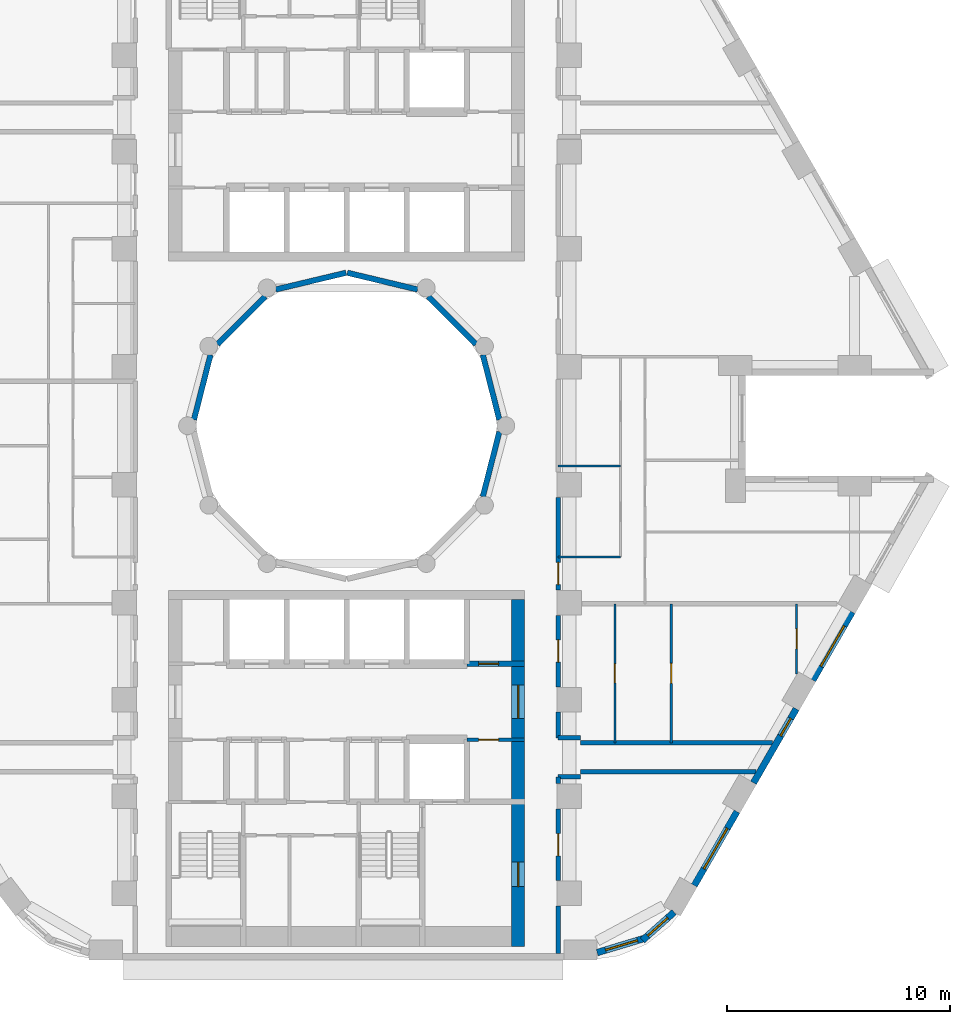
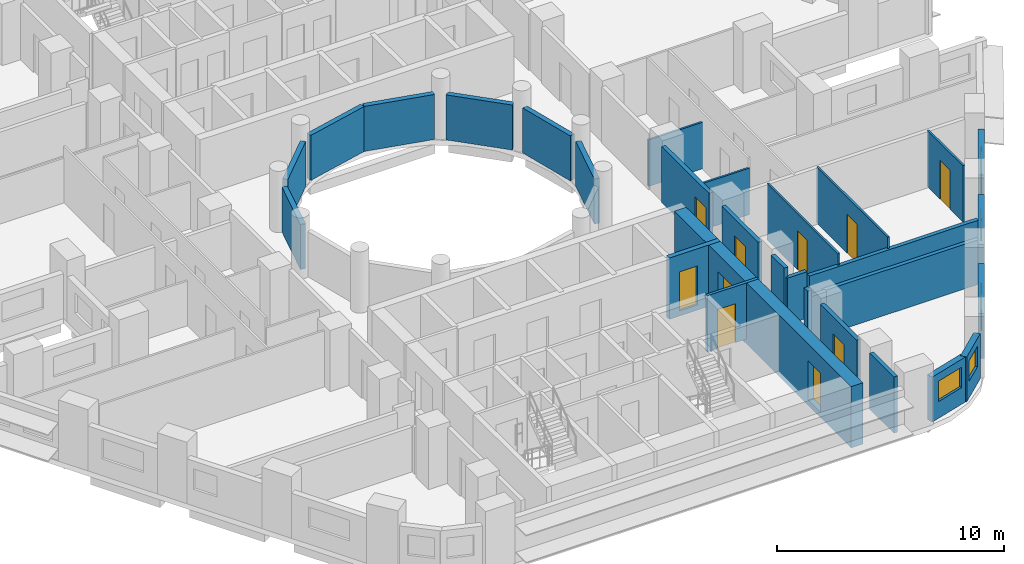
# One storey, part 5 of 12: 30 walls, 10 doors, 5 windows, 15 openings.
"""IFC4 building model written with IfcOpenShell, lengths in metres."""

from ifc_helpers import new_model, si_unit, direction, frame, frame_2d, origin, place, context, subcontext, project, spatial, rectangle, extrude, material, layer, layer_set, type_object, element, fill, save


model = new_model("IFC4")

# Units and contexts
model_context = context("Model", 3, precision=1e-05, world=origin(), true_north=direction((0.0, 1.0)))
body_context = subcontext(model_context, "Body", "Model", "MODEL_VIEW")
ifc_project = project(units=[si_unit("LENGTHUNIT", "METRE"), si_unit("AREAUNIT", "SQUARE_METRE"), si_unit("VOLUMEUNIT", "CUBIC_METRE"), si_unit("PLANEANGLEUNIT", "RADIAN"), si_unit("MASSUNIT", "GRAM", prefix="KILO")], contexts=[model_context])

# Site, building, storey
site_placement = place(None, origin())
site = spatial("IfcSite", under=ifc_project, at=site_placement, CompositionType="ELEMENT")
building_placement = place(site_placement, origin())
building = spatial("IfcBuilding", under=site, at=building_placement, Name="Nakaniwa Court", CompositionType="ELEMENT")
storey_placement = place(building_placement, frame((0.0, 0.0, 57.89990234375)))
storey = spatial("IfcBuildingStorey", under=building, at=storey_placement, Name="L15", CompositionType="ELEMENT", Elevation=57.89990234375)

# Wall
ifc_material_1 = material(Name="Acoustic double stud partition")
ifc_layer_1 = layer(ifc_material_1, 0.199951171875)
ifc_layer_set_1 = layer_set([ifc_layer_1], Name="Acoustic double stud partition")
wall_type_1 = type_object("IfcWallType", Name="Acoustic double stud partition 200", PredefinedType="PARTITIONING", material=ifc_layer_set_1)
wall_1_placement = place(storey_placement, frame((89.5, 56.300048828125, 0.0), z_axis=(0.0, 0.0, 1.0), x_axis=(0.0, 1.0, 0.0)))
element("IfcWall", 1, at=wall_1_placement, inside=storey, type_object=wall_type_1, Name="Partition PW-071", PredefinedType="PARTITIONING", context=body_context, shape_type="SweptSolid", body=[
    extrude(rectangle(XDim=2.133056640625, YDim=0.199951171875, at=frame_2d((1.06640625, 0.0))), origin(), (0.0, 0.0, 1.0), 3.025146484375),
])

# Wall, opening, door
wall_2_placement = place(storey_placement, frame((89.5, 62.782958984375, 0.0), z_axis=(0.0, 0.0, 1.0), x_axis=(0.0, -1.0, 0.0)))
wall_2 = element("IfcWall", 2, at=wall_2_placement, inside=storey, type_object=wall_type_1, Name="Partition PW-072", PredefinedType="PARTITIONING", context=body_context, shape_type="SweptSolid", body=[
    extrude(rectangle(XDim=3.216064453125, YDim=0.199951171875, at=frame_2d((1.60791015625, 0.0))), origin(), (0.0, 0.0, 1.0), 3.025146484375),
])
opening_1_placement = place(wall_2_placement, frame((1.10791015625, 0.0, 0.0)))
opening_1 = element("IfcOpeningElement", 3, at=opening_1_placement, cuts=wall_2, Name="Opening D-02-05", PredefinedType="OPENING", context=body_context, shape_type="SweptSolid", body=[
    extrude(rectangle(XDim=1.0, YDim=2.10009765625, at=frame_2d((0.5, 1.050048828125))), frame((0.0, 0.10986328125, 0.0), z_axis=(0.0, -1.0, 0.0), x_axis=(1.0, 0.0, 0.0)), (0.0, 0.0, 1.0), 0.219970703125),
])
ifc_material_2 = material(Name="Solid core timber door set, black veneer", Category="wood")
door_type_1 = type_object("IfcDoorType", Name="Internal door 1000", OperationType="NOTDEFINED", PredefinedType="DOOR", material=ifc_material_2)
door_1_placement = place(opening_1_placement, origin())
door_1 = element("IfcDoor", 4, at=door_1_placement, inside=storey, type_object=door_type_1, Name="Door D-02-05 L15-053", OperationType="SINGLE_SWING_RIGHT", OverallHeight=2.10009765625, OverallWidth=1.0, PredefinedType="DOOR", context=body_context, shape_type="SweptSolid", body=[
    extrude(rectangle(XDim=1.0, YDim=2.10009765625, at=frame_2d((0.5, 1.050048828125))), frame((0.0, 0.02490234375, 0.0), z_axis=(0.0, -1.0, 0.0), x_axis=(1.0, 0.0, 0.0)), (0.0, 0.0, 1.0), 0.050048828125),
])
fill(opening_1, door_1)

# Walls
wall_3_placement = place(storey_placement, frame((89.5, 63.9169921875, 0.0), z_axis=(0.0, 0.0, 1.0), x_axis=(0.0, 1.0, 0.0)))
element("IfcWall", 5, at=wall_3_placement, inside=storey, type_object=wall_type_1, Name="Partition PW-073", PredefinedType="PARTITIONING", context=body_context, shape_type="SweptSolid", body=[
    extrude(rectangle(XDim=0.31103515625, YDim=0.199951171875, at=frame_2d((0.155517578125, 0.0))), origin(), (0.0, 0.0, 1.0), 3.025146484375),
])
wall_4_placement = place(storey_placement, frame((89.5, 65.971923828125, 0.0), z_axis=(0.0, 0.0, 1.0), x_axis=(0.0, 1.0, 0.0)))
element("IfcWall", 6, at=wall_4_placement, inside=storey, type_object=wall_type_1, Name="Partition PW-074", PredefinedType="PARTITIONING", context=body_context, shape_type="SweptSolid", body=[
    extrude(rectangle(XDim=1.1611328125, YDim=0.199951171875, at=frame_2d((0.58056640625, 0.0))), origin(), (0.0, 0.0, 1.0), 3.025146484375),
])

# Wall, opening, door
wall_5_placement = place(storey_placement, frame((89.5, 71.48291015625, 0.0), z_axis=(0.0, 0.0, 1.0), x_axis=(0.0, -1.0, 0.0)))
wall_5 = element("IfcWall", 7, at=wall_5_placement, inside=storey, type_object=wall_type_1, Name="Partition PW-075", PredefinedType="PARTITIONING", context=body_context, shape_type="SweptSolid", body=[
    extrude(rectangle(XDim=3.2158203125, YDim=0.199951171875, at=frame_2d((1.60791015625, 0.0))), origin(), (0.0, 0.0, 1.0), 3.025146484375),
])
opening_2_placement = place(wall_5_placement, frame((1.10791015625, 0.0, 0.0)))
opening_2 = element("IfcOpeningElement", 8, at=opening_2_placement, cuts=wall_5, Name="Opening D-01-01", PredefinedType="OPENING", context=body_context, shape_type="SweptSolid", body=[
    extrude(rectangle(XDim=1.0, YDim=2.10009765625, at=frame_2d((0.5, 1.050048828125))), frame((0.0, 0.10986328125, 0.0), z_axis=(0.0, -1.0, 0.0), x_axis=(1.0, 0.0, 0.0)), (0.0, 0.0, 1.0), 0.219970703125),
])
door_type_2 = type_object("IfcDoorType", Name="Flat entrance door 1000", OperationType="NOTDEFINED", PredefinedType="DOOR", material=ifc_material_2)
door_2_placement = place(opening_2_placement, origin())
door_2 = element("IfcDoor", 9, at=door_2_placement, inside=storey, type_object=door_type_2, Name="Door D-01-01 L15-029", OperationType="SINGLE_SWING_RIGHT", OverallHeight=2.10009765625, OverallWidth=1.0, PredefinedType="DOOR", context=body_context, shape_type="SweptSolid", body=[
    extrude(rectangle(XDim=1.0, YDim=2.10009765625, at=frame_2d((0.5, 1.050048828125))), frame((0.0, 0.02490234375, 0.0), z_axis=(0.0, -1.0, 0.0), x_axis=(1.0, 0.0, 0.0)), (0.0, 0.0, 1.0), 0.050048828125),
])
fill(opening_2, door_2)

wall_6_placement = place(storey_placement, frame((89.5, 76.782958984375, 0.0), z_axis=(0.0, 0.0, 1.0), x_axis=(0.0, -1.0, 0.0)))
wall_6 = element("IfcWall", 10, at=wall_6_placement, inside=storey, type_object=wall_type_1, Name="Partition PW-076", PredefinedType="PARTITIONING", context=body_context, shape_type="SweptSolid", body=[
    extrude(rectangle(XDim=4.166015625, YDim=0.199951171875, at=frame_2d((2.0830078125, 0.0))), origin(), (0.0, 0.0, 1.0), 3.025146484375),
])
opening_3_placement = place(wall_6_placement, frame((2.923095703125, 0.0, 0.0)))
opening_3 = element("IfcOpeningElement", 11, at=opening_3_placement, cuts=wall_6, Name="Opening D-01-02", PredefinedType="OPENING", context=body_context, shape_type="SweptSolid", body=[
    extrude(rectangle(XDim=1.0, YDim=2.10009765625, at=frame_2d((0.5, 1.050048828125))), frame((0.0, 0.10986328125, 0.0), z_axis=(0.0, -1.0, 0.0), x_axis=(1.0, 0.0, 0.0)), (0.0, 0.0, 1.0), 0.219970703125),
])
door_3_placement = place(opening_3_placement, origin())
door_3 = element("IfcDoor", 12, at=door_3_placement, inside=storey, type_object=door_type_2, Name="Door D-01-02 L15-033", OperationType="SINGLE_SWING_RIGHT", OverallHeight=2.10009765625, OverallWidth=1.0, PredefinedType="DOOR", context=body_context, shape_type="SweptSolid", body=[
    extrude(rectangle(XDim=1.0, YDim=2.10009765625, at=frame_2d((0.5, 1.050048828125))), frame((0.0, 0.02490234375, 0.0), z_axis=(0.0, -1.0, 0.0), x_axis=(1.0, 0.0, 0.0)), (0.0, 0.0, 1.0), 0.050048828125),
])
fill(opening_3, door_3)

# Walls
wall_7_placement = place(storey_placement, frame((89.5, 65.97509765625, 0.0), z_axis=(0.0, 0.0, 1.0), x_axis=(1.0, 0.0, 0.0)))
element("IfcWall", 13, at=wall_7_placement, inside=storey, type_object=wall_type_1, Name="Partition PW-092", PredefinedType="PARTITIONING", context=body_context, shape_type="SweptSolid", body=[
    extrude(rectangle(XDim=1.0, YDim=0.199951171875, at=frame_2d((0.5, 0.0))), origin(), (0.0, 0.0, 1.0), 2.505126953125),
])
wall_8_placement = place(storey_placement, frame((90.5, 65.75, 0.0), z_axis=(0.0, 0.0, 1.0), x_axis=(1.0, 0.0, 0.0)))
element("IfcWall", 14, at=wall_8_placement, inside=storey, type_object=wall_type_1, Name="Partition PW-094", PredefinedType="PARTITIONING", context=body_context, shape_type="SweptSolid", body=[
    extrude(rectangle(XDim=8.63916015625, YDim=0.199951171875, at=frame_2d((4.319580078125, 0.0))), origin(), (0.0, 0.0, 1.0), 2.405029296875),
])
wall_9_placement = place(storey_placement, frame((90.5, 64.449951171875, 0.0), z_axis=(0.0, 0.0, 1.0), x_axis=(1.0, 0.0, 0.0)))
element("IfcWall", 15, at=wall_9_placement, inside=storey, type_object=wall_type_1, Name="Partition PW-096", PredefinedType="PARTITIONING", context=body_context, shape_type="SweptSolid", body=[
    extrude(rectangle(XDim=7.888671875, YDim=0.199951171875, at=frame_2d((3.9443359375, 0.0))), origin(), (0.0, 0.0, 1.0), 2.405029296875),
])
wall_10_placement = place(storey_placement, frame((89.5, 64.22509765625, 0.0), z_axis=(0.0, 0.0, 1.0), x_axis=(1.0, 0.0, 0.0)))
element("IfcWall", 16, at=wall_10_placement, inside=storey, type_object=wall_type_1, Name="Partition PW-098", PredefinedType="PARTITIONING", context=body_context, shape_type="SweptSolid", body=[
    extrude(rectangle(XDim=1.0, YDim=0.199951171875, at=frame_2d((0.5, 0.0))), origin(), (0.0, 0.0, 1.0), 2.505126953125),
])

# Wall, opening, window
ifc_material_3 = material(Name="Charcoal ceramic cladding")
ifc_layer_2 = layer(ifc_material_3, 0.02, Name="Ceramic cladding")
ifc_material_4 = material(Name="Ventilated air cavity")
ifc_layer_3 = layer(ifc_material_4, 0.04, ventilated=True, Name="Ventilated cavity")
ifc_material_5 = material(Name="Mineral wool insulation")
ifc_layer_4 = layer(ifc_material_5, 0.1, Name="Insulation")
ifc_material_6 = material(Name="Cement bonded sheathing board")
ifc_layer_5 = layer(ifc_material_6, 0.012, Name="Sheathing")
ifc_material_7 = material(Name="Cold-formed galvanised stud frame with mineral wool infill")
ifc_layer_6 = layer(ifc_material_7, 0.1, Name="Stud frame")
ifc_material_8 = material(Name="Fire-rated gypsum plasterboard lining")
ifc_layer_7 = layer(ifc_material_8, 0.028, Name="Lining")
ifc_layer_set_2 = layer_set([ifc_layer_2, ifc_layer_3, ifc_layer_4, ifc_layer_5, ifc_layer_6, ifc_layer_7], Name="Charcoal ceramic faced external wall system")
wall_type_2 = type_object("IfcWallType", Name="Black ceramic faced external wall 300", PredefinedType="SOLIDWALL", material=ifc_layer_set_2)
wall_11_placement = place(storey_placement, frame((91.25341796875, 56.331298828125, 0.0), z_axis=(0.0, 0.0, 1.0), x_axis=(0.957433631901, 0.288653495569, 0.0)))
wall_11 = element("IfcWall", 17, at=wall_11_placement, inside=storey, type_object=wall_type_2, Name="L15 external wall 27", PredefinedType="SOLIDWALL", context=body_context, shape_type="SweptSolid", body=[
    extrude(rectangle(XDim=2.212646484375, YDim=0.300048828125, at=frame_2d((1.1064453125, 0.0))), origin(), (0.0, 0.0, 1.0), 2.425048828125),
])
opening_4_placement = place(wall_11_placement, frame((0.394287109375, 0.0, 0.89990234375)))
opening_4 = element("IfcOpeningElement", 18, at=opening_4_placement, cuts=wall_11, Name="Opening W5.27", PredefinedType="OPENING", context=body_context, shape_type="SweptSolid", body=[
    extrude(rectangle(XDim=1.5, YDim=1.10009765625, at=frame_2d((0.75, 0.550048828125))), frame((0.0, 0.159912109375, 0.0), z_axis=(0.0, -1.0, 0.0), x_axis=(1.0, 0.0, 0.0)), (0.0, 0.0, 1.0), 0.320068359375),
])
ifc_material_9 = material(Name="Black anodised aluminium frame with dark low-E laminated double glazing", Category="aluminium")
window_type_1 = type_object("IfcWindowType", Name="Dark glass window 1500x1100 sill 900", PartitioningType="SINGLE_PANEL", PredefinedType="WINDOW", material=ifc_material_9)
window_1_placement = place(opening_4_placement, origin())
window_1 = element("IfcWindow", 19, at=window_1_placement, inside=storey, type_object=window_type_1, Name="L15 habitable room window 27-0", OverallHeight=1.10009765625, OverallWidth=1.5, PartitioningType="SINGLE_PANEL", PredefinedType="WINDOW", context=body_context, shape_type="SweptSolid", body=[
    extrude(rectangle(XDim=1.5, YDim=1.10009765625, at=frame_2d((0.75, 0.550048828125))), frame((0.0, 0.030029296875, 0.0), z_axis=(0.0, -1.0, 0.0), x_axis=(1.0, 0.0, 0.0)), (0.0, 0.0, 1.0), 0.06005859375),
])
fill(opening_4, window_1)

wall_12_placement = place(storey_placement, frame((93.288818359375, 56.882568359375, 0.0), z_axis=(0.0, 0.0, 1.0), x_axis=(0.746941556212, 0.664889698825, 0.0)))
wall_12 = element("IfcWall", 20, at=wall_12_placement, inside=storey, type_object=wall_type_2, Name="L15 external wall 28", PredefinedType="SOLIDWALL", context=body_context, shape_type="SweptSolid", body=[
    extrude(rectangle(XDim=1.9013671875, YDim=0.300048828125, at=frame_2d((0.95068359375, 0.0))), origin(), (0.0, 0.0, 1.0), 2.425048828125),
])
opening_5_placement = place(wall_12_placement, frame((0.31005859375, 0.0, 0.89990234375)))
opening_5 = element("IfcOpeningElement", 21, at=opening_5_placement, cuts=wall_12, Name="Opening W6.28", PredefinedType="OPENING", context=body_context, shape_type="SweptSolid", body=[
    extrude(rectangle(XDim=1.199951171875, YDim=1.10009765625, at=frame_2d((0.60009765625, 0.550048828125))), frame((0.0, 0.159912109375, 0.0), z_axis=(0.0, -1.0, 0.0), x_axis=(1.0, 0.0, 0.0)), (0.0, 0.0, 1.0), 0.320068359375),
])
window_type_2 = type_object("IfcWindowType", Name="Dark glass window 1200x1100 sill 900", PartitioningType="SINGLE_PANEL", PredefinedType="WINDOW", material=ifc_material_9)
window_2_placement = place(opening_5_placement, origin())
window_2 = element("IfcWindow", 22, at=window_2_placement, inside=storey, type_object=window_type_2, Name="L15 habitable room window 28-0", OverallHeight=1.10009765625, OverallWidth=1.199951171875, PartitioningType="SINGLE_PANEL", PredefinedType="WINDOW", context=body_context, shape_type="SweptSolid", body=[
    extrude(rectangle(XDim=1.199951171875, YDim=1.10009765625, at=frame_2d((0.60009765625, 0.550048828125))), frame((0.0, 0.030029296875, 0.0), z_axis=(0.0, -1.0, 0.0), x_axis=(1.0, 0.0, 0.0)), (0.0, 0.0, 1.0), 0.06005859375),
])
fill(opening_5, window_2)

wall_13_placement = place(storey_placement, frame((95.615234375, 59.346435546875, 0.0), z_axis=(0.0, 0.0, 1.0), x_axis=(0.499974163209, 0.866040320149, 0.0)))
wall_13 = element("IfcWall", 23, at=wall_13_placement, inside=storey, type_object=wall_type_2, Name="L15 external wall 29", PredefinedType="SOLIDWALL", context=body_context, shape_type="SweptSolid", body=[
    extrude(rectangle(XDim=3.834228515625, YDim=0.300048828125, at=frame_2d((1.9169921875, 0.0))), origin(), (0.0, 0.0, 1.0), 2.425048828125),
])
opening_6_placement = place(wall_13_placement, frame((0.866943359375, 0.0, 0.89990234375)))
opening_6 = element("IfcOpeningElement", 24, at=opening_6_placement, cuts=wall_13, Name="Opening W7.29", PredefinedType="OPENING", context=body_context, shape_type="SweptSolid", body=[
    extrude(rectangle(XDim=2.10009765625, YDim=1.10009765625, at=frame_2d((1.050048828125, 0.550048828125))), frame((0.0, 0.159912109375, 0.0), z_axis=(0.0, -1.0, 0.0), x_axis=(1.0, 0.0, 0.0)), (0.0, 0.0, 1.0), 0.320068359375),
])
window_type_3 = type_object("IfcWindowType", Name="Dark glass window 2100x1100 sill 900", PartitioningType="SINGLE_PANEL", PredefinedType="WINDOW", material=ifc_material_9)
window_3_placement = place(opening_6_placement, origin())
window_3 = element("IfcWindow", 25, at=window_3_placement, inside=storey, type_object=window_type_3, Name="L15 habitable room window 29-0", OverallHeight=1.10009765625, OverallWidth=2.10009765625, PartitioningType="SINGLE_PANEL", PredefinedType="WINDOW", context=body_context, shape_type="SweptSolid", body=[
    extrude(rectangle(XDim=2.10009765625, YDim=1.10009765625, at=frame_2d((1.050048828125, 0.550048828125))), frame((0.0, 0.030029296875, 0.0), z_axis=(0.0, -1.0, 0.0), x_axis=(1.0, 0.0, 0.0)), (0.0, 0.0, 1.0), 0.06005859375),
])
fill(opening_6, window_3)

wall_14_placement = place(storey_placement, frame((98.2783203125, 63.958984375, 0.0), z_axis=(0.0, 0.0, 1.0), x_axis=(0.500001735503, 0.866024401789, 0.0)))
wall_14 = element("IfcWall", 26, at=wall_14_placement, inside=storey, type_object=wall_type_2, Name="L15 external wall 30", PredefinedType="SOLIDWALL", context=body_context, shape_type="SweptSolid", body=[
    extrude(rectangle(XDim=3.833984375, YDim=0.300048828125, at=frame_2d((1.9169921875, 0.0))), origin(), (0.0, 0.0, 1.0), 2.425048828125),
])
opening_7_placement = place(wall_14_placement, frame((2.43994140625, 0.0, 0.89990234375)))
opening_7 = element("IfcOpeningElement", 27, at=opening_7_placement, cuts=wall_14, Name="Opening W9.30", PredefinedType="OPENING", context=body_context, shape_type="SweptSolid", body=[
    extrude(rectangle(XDim=0.89990234375, YDim=1.10009765625, at=frame_2d((0.449951171875, 0.550048828125))), frame((0.0, 0.159912109375, 0.0), z_axis=(0.0, -1.0, 0.0), x_axis=(1.0, 0.0, 0.0)), (0.0, 0.0, 1.0), 0.320068359375),
])
window_type_4 = type_object("IfcWindowType", Name="Dark glass window 900x1100 sill 900", PartitioningType="SINGLE_PANEL", PredefinedType="WINDOW", material=ifc_material_9)
window_4_placement = place(opening_7_placement, origin())
window_4 = element("IfcWindow", 28, at=window_4_placement, inside=storey, type_object=window_type_4, Name="L15 living window 30-2", OverallHeight=1.10009765625, OverallWidth=0.89990234375, PartitioningType="SINGLE_PANEL", PredefinedType="WINDOW", context=body_context, shape_type="SweptSolid", body=[
    extrude(rectangle(XDim=0.89990234375, YDim=1.10009765625, at=frame_2d((0.449951171875, 0.550048828125))), frame((0.0, 0.030029296875, 0.0), z_axis=(0.0, -1.0, 0.0), x_axis=(1.0, 0.0, 0.0)), (0.0, 0.0, 1.0), 0.06005859375),
])
fill(opening_7, window_4)

wall_15_placement = place(storey_placement, frame((100.94140625, 68.5712890625, 0.0), z_axis=(0.0, 0.0, 1.0), x_axis=(0.499977402622, 0.866038449993, 0.0)))
wall_15 = element("IfcWall", 29, at=wall_15_placement, inside=storey, type_object=wall_type_2, Name="L15 external wall 31", PredefinedType="SOLIDWALL", context=body_context, shape_type="SweptSolid", body=[
    extrude(rectangle(XDim=3.536865234375, YDim=0.300048828125, at=frame_2d((1.7685546875, 0.0))), origin(), (0.0, 0.0, 1.0), 2.425048828125),
])
opening_8_placement = place(wall_15_placement, frame((0.718505859375, 0.0, 0.89990234375)))
opening_8 = element("IfcOpeningElement", 30, at=opening_8_placement, cuts=wall_15, Name="Opening W7.31", PredefinedType="OPENING", context=body_context, shape_type="SweptSolid", body=[
    extrude(rectangle(XDim=2.10009765625, YDim=1.10009765625, at=frame_2d((1.050048828125, 0.550048828125))), frame((0.0, 0.159912109375, 0.0), z_axis=(0.0, -1.0, 0.0), x_axis=(1.0, 0.0, 0.0)), (0.0, 0.0, 1.0), 0.320068359375),
])
window_5_placement = place(opening_8_placement, origin())
window_5 = element("IfcWindow", 31, at=window_5_placement, inside=storey, type_object=window_type_3, Name="L15 habitable room window 31-0", OverallHeight=1.10009765625, OverallWidth=2.10009765625, PartitioningType="SINGLE_PANEL", PredefinedType="WINDOW", context=body_context, shape_type="SweptSolid", body=[
    extrude(rectangle(XDim=2.10009765625, YDim=1.10009765625, at=frame_2d((1.050048828125, 0.550048828125))), frame((0.0, 0.030029296875, 0.0), z_axis=(0.0, -1.0, 0.0), x_axis=(1.0, 0.0, 0.0)), (0.0, 0.0, 1.0), 0.06005859375),
])
fill(opening_8, window_5)

# Wall, opening, door
ifc_material_10 = material(Name="Blockwork partition", Category="masonry")
ifc_layer_8 = layer(ifc_material_10, 0.14990234375)
ifc_layer_set_3 = layer_set([ifc_layer_8], Name="Blockwork partition")
wall_type_3 = type_object("IfcWallType", Name="Blockwork partition 150", PredefinedType="PARTITIONING", material=ifc_layer_set_3)
wall_16_placement = place(storey_placement, frame((88.0, 65.89990234375, 0.0), z_axis=(0.0, 0.0, 1.0), x_axis=(-1.0, 0.0, 0.0)))
wall_16 = element("IfcWall", 32, at=wall_16_placement, inside=storey, type_object=wall_type_3, Name="Partition PW-053", PredefinedType="PARTITIONING", context=body_context, shape_type="SweptSolid", body=[
    extrude(rectangle(XDim=2.60302734375, YDim=0.14990234375, at=frame_2d((1.301513671875, 0.0))), origin(), (0.0, 0.0, 1.0), 3.025146484375),
])
opening_9_placement = place(wall_16_placement, frame((1.175048828125, 0.0, 0.0)))
opening_9 = element("IfcOpeningElement", 33, at=opening_9_placement, cuts=wall_16, Name="Opening D-05-16", PredefinedType="OPENING", context=body_context, shape_type="SweptSolid", body=[
    extrude(rectangle(XDim=0.89990234375, YDim=2.10009765625, at=frame_2d((0.449951171875, 1.050048828125))), frame((0.0, 0.0849609375, 0.0), z_axis=(0.0, -1.0, 0.0), x_axis=(1.0, 0.0, 0.0)), (0.0, 0.0, 1.0), 0.169921875),
])
ifc_material_11 = material(Name="Fire rated steel door set", Category="steel")
door_type_3 = type_object("IfcDoorType", Name="Service room door 900", OperationType="NOTDEFINED", PredefinedType="DOOR", material=ifc_material_11)
door_4_placement = place(opening_9_placement, origin())
door_4 = element("IfcDoor", 34, at=door_4_placement, inside=storey, type_object=door_type_3, Name="Door D-05-16 L15-023", OperationType="SINGLE_SWING_RIGHT", OverallHeight=2.10009765625, OverallWidth=0.89990234375, PredefinedType="DOOR", context=body_context, shape_type="SweptSolid", body=[
    extrude(rectangle(XDim=0.89990234375, YDim=2.10009765625, at=frame_2d((0.449951171875, 1.050048828125))), frame((0.0, 0.02490234375, 0.0), z_axis=(0.0, -1.0, 0.0), x_axis=(1.0, 0.0, 0.0)), (0.0, 0.0, 1.0), 0.050048828125),
])
fill(opening_9, door_4)

# Walls
ifc_layer_9 = layer(ifc_material_3, 0.02, Name="Ceramic cladding")
ifc_layer_10 = layer(ifc_material_4, 0.04, ventilated=True, Name="Ventilated cavity")
ifc_layer_11 = layer(ifc_material_5, 0.075, Name="Insulation")
ifc_layer_12 = layer(ifc_material_6, 0.012, Name="Sheathing")
ifc_layer_13 = layer(ifc_material_7, 0.075, Name="Stud frame")
ifc_layer_14 = layer(ifc_material_8, 0.028, Name="Lining")
ifc_layer_set_4 = layer_set([ifc_layer_9, ifc_layer_10, ifc_layer_11, ifc_layer_12, ifc_layer_13, ifc_layer_14], Name="Charcoal ceramic faced external wall system")
wall_type_4 = type_object("IfcWallType", Name="Charcoal ceramic faced well wall 250", PredefinedType="SOLIDWALL", material=ifc_layer_set_4)
for number, where, z_axis, x_axis, name in (
    (35, (86.8603515625, 79.72998046875, 0.0), (0.0, 0.0, 1.0), (-0.247055971283, -0.969001211069, 0.0), "L15 external wall 36"),
    (36, (73.1396484375, 80.27001953125, 0.0), (0.0, 0.0, 1.0), (0.247055971283, 0.969001211069, 0.0), "L15 external wall 42"),
):
    element("IfcWall", number, at=place(storey_placement, frame(where, z_axis=z_axis, x_axis=x_axis)), inside=storey, type_object=wall_type_4, Name=name, PredefinedType="SOLIDWALL", context=body_context, shape_type="SweptSolid", body=[
        extrude(rectangle(XDim=3.010009765625, YDim=0.25, at=frame_2d((1.5048828125, 0.0))), origin(), (0.0, 0.0, 1.0), 2.425048828125),
    ])
wall_17_placement = place(storey_placement, frame((74.1943359375, 83.660888671875, 0.0), z_axis=(0.0, 0.0, 1.0), x_axis=(0.707106781187, 0.707106781187, 0.0)))
element("IfcWall", 37, at=wall_17_placement, inside=storey, type_object=wall_type_4, Name="L15 external wall 43", PredefinedType="SOLIDWALL", context=body_context, shape_type="SweptSolid", body=[
    extrude(rectangle(XDim=3.033203125, YDim=0.25, at=frame_2d((1.5166015625, 0.0))), origin(), (0.0, 0.0, 1.0), 2.425048828125),
])
for number, where, z_axis, x_axis, name in (
    (38, (76.813720703125, 86.119384765625, 0.0), (0.0, 0.0, 1.0), (0.972773113459, 0.231759508395, 0.0), "L15 external wall 44"),
    (39, (80.029052734375, 86.87158203125, 0.0), (0.0, 0.0, 1.0), (0.972773113459, -0.231759508395, 0.0), "L15 external wall 45"),
):
    element("IfcWall", number, at=place(storey_placement, frame(where, z_axis=z_axis, x_axis=x_axis)), inside=storey, type_object=wall_type_4, Name=name, PredefinedType="SOLIDWALL", context=body_context, shape_type="SweptSolid", body=[
        extrude(rectangle(XDim=3.24560546875, YDim=0.25, at=frame_2d((1.622802734375, 0.0))), origin(), (0.0, 0.0, 1.0), 2.425048828125),
    ])
wall_18_placement = place(storey_placement, frame((83.660888671875, 85.8056640625, 0.0), z_axis=(0.0, 0.0, 1.0), x_axis=(0.707106781187, -0.707106781187, 0.0)))
element("IfcWall", 40, at=wall_18_placement, inside=storey, type_object=wall_type_4, Name="L15 external wall 46", PredefinedType="SOLIDWALL", context=body_context, shape_type="SweptSolid", body=[
    extrude(rectangle(XDim=3.033203125, YDim=0.25, at=frame_2d((1.5166015625, 0.0))), origin(), (0.0, 0.0, 1.0), 2.425048828125),
])
wall_19_placement = place(storey_placement, frame((86.11669921875, 83.186767578125, 0.0), z_axis=(0.0, 0.0, 1.0), x_axis=(0.247055971283, -0.969001211069, 0.0)))
element("IfcWall", 41, at=wall_19_placement, inside=storey, type_object=wall_type_4, Name="L15 external wall 47", PredefinedType="SOLIDWALL", context=body_context, shape_type="SweptSolid", body=[
    extrude(rectangle(XDim=3.010009765625, YDim=0.25, at=frame_2d((1.5048828125, 0.0))), origin(), (0.0, 0.0, 1.0), 2.425048828125),
])

# Wall, openings, doors
ifc_material_12 = material(Name="Concrete C100/115", Category="concrete")
ifc_layer_15 = layer(ifc_material_12, 0.60009765625)
ifc_layer_set_5 = layer_set([ifc_layer_15], Name="Concrete C100/115")
wall_type_5 = type_object("IfcWallType", Name="Concrete core side wall 600 C100", PredefinedType="SHEAR", material=ifc_layer_set_5)
wall_20_placement = place(storey_placement, frame((87.699951171875, 72.199951171875, -0.27490234375), z_axis=(0.0, 0.0, 1.0), x_axis=(0.0, -1.0, 0.0)))
wall_20 = element("IfcWall", 42, at=wall_20_placement, inside=storey, type_object=wall_type_5, Name="Core wall SW-50", PredefinedType="SHEAR", context=body_context, shape_type="SweptSolid", body=[
    extrude(rectangle(XDim=15.599853515625, YDim=0.60009765625, at=frame_2d((7.7998046875, 0.0))), origin(), (0.0, 0.0, 1.0), 3.300048828125),
])
opening_10_placement = place(wall_20_placement, frame((3.85009765625, 0.0, 0.27490234375)))
opening_10 = element("IfcOpeningElement", 43, at=opening_10_placement, cuts=wall_20, Name="Opening D-07-03", PredefinedType="OPENING", context=body_context, shape_type="SweptSolid", body=[
    extrude(rectangle(XDim=1.5, YDim=2.10009765625, at=frame_2d((0.75, 1.050048828125))), frame((0.0, 0.31005859375, 0.0), z_axis=(0.0, -1.0, 0.0), x_axis=(1.0, 0.0, 0.0)), (0.0, 0.0, 1.0), 0.6201171875),
])
opening_11_placement = place(wall_20_placement, frame((11.800048828125, 0.0, 0.27490234375)))
opening_11 = element("IfcOpeningElement", 44, at=opening_11_placement, cuts=wall_20, Name="Opening D-10-02", PredefinedType="OPENING", context=body_context, shape_type="SweptSolid", body=[
    extrude(rectangle(XDim=1.10009765625, YDim=2.10009765625, at=frame_2d((0.550048828125, 1.050048828125))), frame((0.0, 0.31005859375, 0.0), z_axis=(0.0, -1.0, 0.0), x_axis=(1.0, 0.0, 0.0)), (0.0, 0.0, 1.0), 0.6201171875),
])
door_type_4 = type_object("IfcDoorType", Name="Firefighting lobby door 1100", OperationType="NOTDEFINED", PredefinedType="DOOR", material=ifc_material_11)
door_5_placement = place(opening_11_placement, origin())
door_5 = element("IfcDoor", 45, at=door_5_placement, inside=storey, type_object=door_type_4, Name="Door D-10-02 L15-061", OperationType="SINGLE_SWING_RIGHT", OverallHeight=2.10009765625, OverallWidth=1.10009765625, PredefinedType="DOOR", context=body_context, shape_type="SweptSolid", body=[
    extrude(rectangle(XDim=1.10009765625, YDim=2.10009765625, at=frame_2d((0.550048828125, 1.050048828125))), frame((0.0, 0.02490234375, 0.0), z_axis=(0.0, -1.0, 0.0), x_axis=(1.0, 0.0, 0.0)), (0.0, 0.0, 1.0), 0.050048828125),
])
fill(opening_11, door_5)
ifc_material_13 = material(Name="Glazed fire rated steel double door set", Category="steel")
door_type_5 = type_object("IfcDoorType", Name="Lobby double door 1500", OperationType="NOTDEFINED", PredefinedType="DOOR", material=ifc_material_13)
door_6_placement = place(opening_10_placement, origin())
door_6 = element("IfcDoor", 46, at=door_6_placement, inside=storey, type_object=door_type_5, Name="Door D-07-03 L15-059", OperationType="DOUBLE_DOOR_SINGLE_SWING", OverallHeight=2.10009765625, OverallWidth=1.5, PredefinedType="DOOR", context=body_context, shape_type="SweptSolid", body=[
    extrude(rectangle(XDim=1.5, YDim=2.10009765625, at=frame_2d((0.75, 1.050048828125))), frame((0.0, 0.02490234375, 0.0), z_axis=(0.0, -1.0, 0.0), x_axis=(1.0, 0.0, 0.0)), (0.0, 0.0, 1.0), 0.050048828125),
])
fill(opening_10, door_6)

# Wall, opening, door
ifc_layer_16 = layer(ifc_material_12, 0.25)
ifc_layer_set_6 = layer_set([ifc_layer_16], Name="Concrete C100/115")
wall_type_6 = type_object("IfcWallType", Name="Concrete shaft wall 250 C100", PredefinedType="SHEAR", material=ifc_layer_set_6)
wall_21_placement = place(storey_placement, frame((85.39990234375, 69.300048828125, -0.27490234375), z_axis=(0.0, 0.0, 1.0), x_axis=(1.0, 0.0, 0.0)))
wall_21 = element("IfcWall", 47, at=wall_21_placement, inside=storey, type_object=wall_type_6, Name="Core wall SW-49", PredefinedType="SHEAR", context=body_context, shape_type="SweptSolid", body=[
    extrude(rectangle(XDim=2.60009765625, YDim=0.25, at=frame_2d((1.300048828125, 0.0))), origin(), (0.0, 0.0, 1.0), 3.300048828125),
])
opening_12_placement = place(wall_21_placement, frame((0.52490234375, 0.0, 0.27490234375)))
opening_12 = element("IfcOpeningElement", 48, at=opening_12_placement, cuts=wall_21, Name="Opening D-05-11", PredefinedType="OPENING", context=body_context, shape_type="SweptSolid", body=[
    extrude(rectangle(XDim=0.89990234375, YDim=2.10009765625, at=frame_2d((0.449951171875, 1.050048828125))), frame((0.0, 0.135009765625, 0.0), z_axis=(0.0, -1.0, 0.0), x_axis=(1.0, 0.0, 0.0)), (0.0, 0.0, 1.0), 0.27001953125),
])
door_7_placement = place(opening_12_placement, origin())
door_7 = element("IfcDoor", 49, at=door_7_placement, inside=storey, type_object=door_type_3, Name="Door D-05-11 L15-016", OperationType="SINGLE_SWING_LEFT", OverallHeight=2.10009765625, OverallWidth=0.89990234375, PredefinedType="DOOR", context=body_context, shape_type="SweptSolid", body=[
    extrude(rectangle(XDim=0.89990234375, YDim=2.10009765625, at=frame_2d((0.449951171875, 1.050048828125))), frame((0.0, 0.02490234375, 0.0), z_axis=(0.0, -1.0, 0.0), x_axis=(1.0, 0.0, 0.0)), (0.0, 0.0, 1.0), 0.050048828125),
])
fill(opening_12, door_7)

ifc_material_14 = material(Name="Single stud plasterboard partition")
ifc_layer_17 = layer(ifc_material_14, 0.10009765625)
ifc_layer_set_7 = layer_set([ifc_layer_17], Name="Single stud plasterboard partition")
wall_type_7 = type_object("IfcWallType", Name="Single stud plasterboard partition 100", PredefinedType="PARTITIONING", material=ifc_layer_set_7)
wall_22_placement = place(storey_placement, frame((92.050048828125, 72.0, 0.0), z_axis=(0.0, 0.0, 1.0), x_axis=(0.0, -1.0, 0.0)))
wall_22 = element("IfcWall", 50, at=wall_22_placement, inside=storey, type_object=wall_type_7, Name="Partition PW-111", PredefinedType="PARTITIONING", context=body_context, shape_type="SweptSolid", body=[
    extrude(rectangle(XDim=6.25, YDim=0.10009765625, at=frame_2d((3.125, 0.0))), origin(), (0.0, 0.0, 1.0), 3.025146484375),
])
opening_13_placement = place(wall_22_placement, frame((2.699951171875, 0.0, 0.0)))
opening_13 = element("IfcOpeningElement", 51, at=opening_13_placement, cuts=wall_22, Name="Opening D-03-01", PredefinedType="OPENING", context=body_context, shape_type="SweptSolid", body=[
    extrude(rectangle(XDim=0.85009765625, YDim=2.10009765625, at=frame_2d((0.425048828125, 1.050048828125))), frame((0.0, 0.06005859375, 0.0), z_axis=(0.0, -1.0, 0.0), x_axis=(1.0, 0.0, 0.0)), (0.0, 0.0, 1.0), 0.1201171875),
])
ifc_material_15 = material(Name="Moisture sealed timber door set", Category="wood")
door_type_6 = type_object("IfcDoorType", Name="Bathroom door 850", OperationType="NOTDEFINED", PredefinedType="DOOR", material=ifc_material_15)
door_8_placement = place(opening_13_placement, origin())
door_8 = element("IfcDoor", 52, at=door_8_placement, inside=storey, type_object=door_type_6, Name="Door D-03-01 L15-030", OperationType="SINGLE_SWING_LEFT", OverallHeight=2.10009765625, OverallWidth=0.85009765625, PredefinedType="DOOR", context=body_context, shape_type="SweptSolid", body=[
    extrude(rectangle(XDim=0.85009765625, YDim=2.10009765625, at=frame_2d((0.425048828125, 1.050048828125))), frame((0.0, 0.02490234375, 0.0), z_axis=(0.0, -1.0, 0.0), x_axis=(1.0, 0.0, 0.0)), (0.0, 0.0, 1.0), 0.050048828125),
])
fill(opening_13, door_8)

wall_23_placement = place(storey_placement, frame((94.583984375, 72.0, 0.0), z_axis=(0.0, 0.0, 1.0), x_axis=(0.0, -1.0, 0.0)))
wall_23 = element("IfcWall", 53, at=wall_23_placement, inside=storey, type_object=wall_type_7, Name="Partition PW-113", PredefinedType="PARTITIONING", context=body_context, shape_type="SweptSolid", body=[
    extrude(rectangle(XDim=6.25, YDim=0.10009765625, at=frame_2d((3.125, 0.0))), origin(), (0.0, 0.0, 1.0), 3.025146484375),
])
opening_14_placement = place(wall_23_placement, frame((2.675048828125, 0.0, 0.0)))
opening_14 = element("IfcOpeningElement", 54, at=opening_14_placement, cuts=wall_23, Name="Opening D-33-01", PredefinedType="OPENING", context=body_context, shape_type="SweptSolid", body=[
    extrude(rectangle(XDim=0.89990234375, YDim=2.10009765625, at=frame_2d((0.449951171875, 1.050048828125))), frame((0.0, 0.06005859375, 0.0), z_axis=(0.0, -1.0, 0.0), x_axis=(1.0, 0.0, 0.0)), (0.0, 0.0, 1.0), 0.1201171875),
])
door_type_7 = type_object("IfcDoorType", Name="Internal door 900", OperationType="NOTDEFINED", PredefinedType="DOOR", material=ifc_material_2)
door_9_placement = place(opening_14_placement, origin())
door_9 = element("IfcDoor", 55, at=door_9_placement, inside=storey, type_object=door_type_7, Name="Door D-33-01 L15-031", OperationType="SINGLE_SWING_RIGHT", OverallHeight=2.10009765625, OverallWidth=0.89990234375, PredefinedType="DOOR", context=body_context, shape_type="SweptSolid", body=[
    extrude(rectangle(XDim=0.89990234375, YDim=2.10009765625, at=frame_2d((0.449951171875, 1.050048828125))), frame((0.0, 0.02490234375, 0.0), z_axis=(0.0, -1.0, 0.0), x_axis=(1.0, 0.0, 0.0)), (0.0, 0.0, 1.0), 0.050048828125),
])
fill(opening_14, door_9)

wall_24_placement = place(storey_placement, frame((100.214111328125, 72.0, 0.0), z_axis=(0.0, 0.0, 1.0), x_axis=(0.0, -1.0, 0.0)))
wall_24 = element("IfcWall", 56, at=wall_24_placement, inside=storey, type_object=wall_type_7, Name="Partition PW-114", PredefinedType="PARTITIONING", context=body_context, shape_type="SweptSolid", body=[
    extrude(rectangle(XDim=3.148193359375, YDim=0.10009765625, at=frame_2d((1.57421875, 0.0))), origin(), (0.0, 0.0, 1.0), 3.025146484375),
])
opening_15_placement = place(wall_24_placement, frame((1.1240234375, 0.0, 0.0)))
opening_15 = element("IfcOpeningElement", 57, at=opening_15_placement, cuts=wall_24, Name="Opening D-33-02", PredefinedType="OPENING", context=body_context, shape_type="SweptSolid", body=[
    extrude(rectangle(XDim=0.89990234375, YDim=2.10009765625, at=frame_2d((0.449951171875, 1.050048828125))), frame((0.0, 0.06005859375, 0.0), z_axis=(0.0, -1.0, 0.0), x_axis=(1.0, 0.0, 0.0)), (0.0, 0.0, 1.0), 0.1201171875),
])
door_10_placement = place(opening_15_placement, origin())
door_10 = element("IfcDoor", 58, at=door_10_placement, inside=storey, type_object=door_type_7, Name="Door D-33-02 L15-032", OperationType="SINGLE_SWING_LEFT", OverallHeight=2.10009765625, OverallWidth=0.89990234375, PredefinedType="DOOR", context=body_context, shape_type="SweptSolid", body=[
    extrude(rectangle(XDim=0.89990234375, YDim=2.10009765625, at=frame_2d((0.449951171875, 1.050048828125))), frame((0.0, 0.02490234375, 0.0), z_axis=(0.0, -1.0, 0.0), x_axis=(1.0, 0.0, 0.0)), (0.0, 0.0, 1.0), 0.050048828125),
])
fill(opening_15, door_10)

# Walls
for number, where, z_axis, x_axis, name in (
    (59, (89.5, 78.19091796875, 0.0), (0.0, 0.0, 1.0), (1.0, 0.0, 0.0), "Partition PW-115"),
    (60, (89.5, 74.10009765625, 0.0), (0.0, 0.0, 1.0), (1.0, 0.0, 0.0), "Partition PW-117"),
):
    element("IfcWall", number, at=place(storey_placement, frame(where, z_axis=z_axis, x_axis=x_axis)), inside=storey, type_object=wall_type_7, Name=name, PredefinedType="PARTITIONING", context=body_context, shape_type="SweptSolid", body=[
        extrude(rectangle(XDim=2.800048828125, YDim=0.10009765625, at=frame_2d((1.39990234375, 0.0))), origin(), (0.0, 0.0, 1.0), 2.505126953125),
    ])

save(model, "model.ifc")
